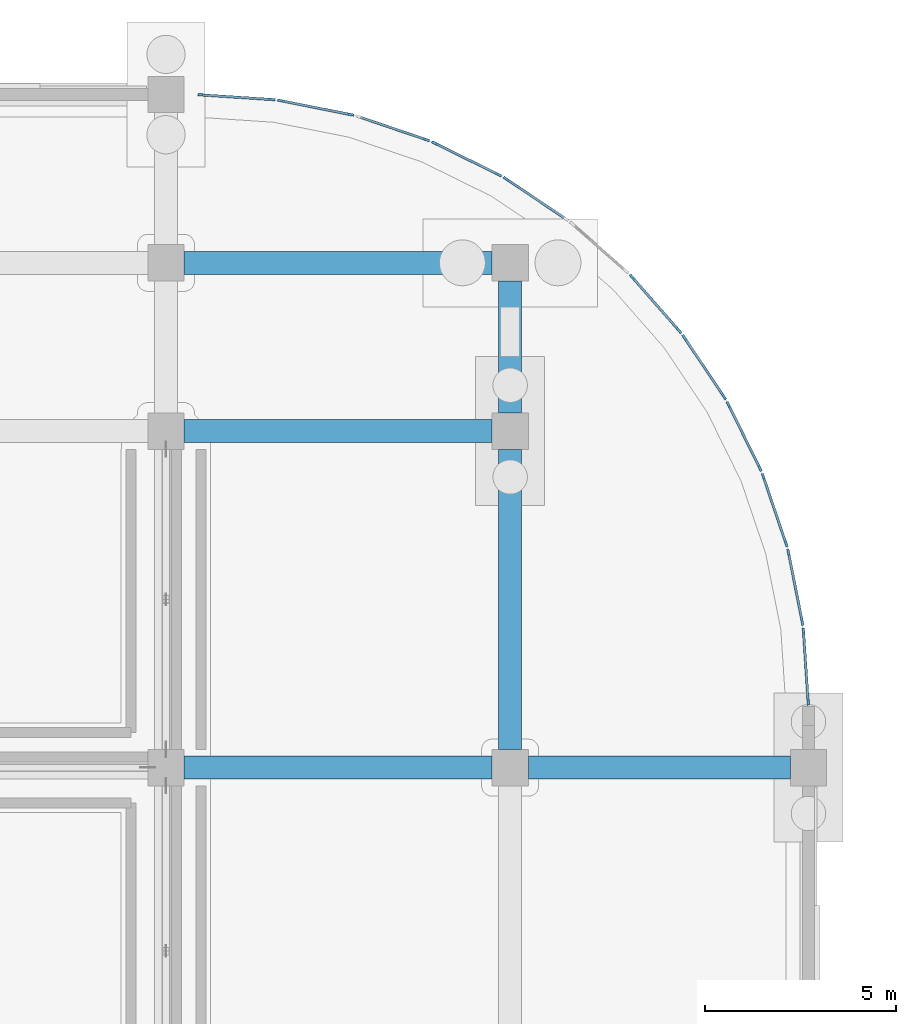
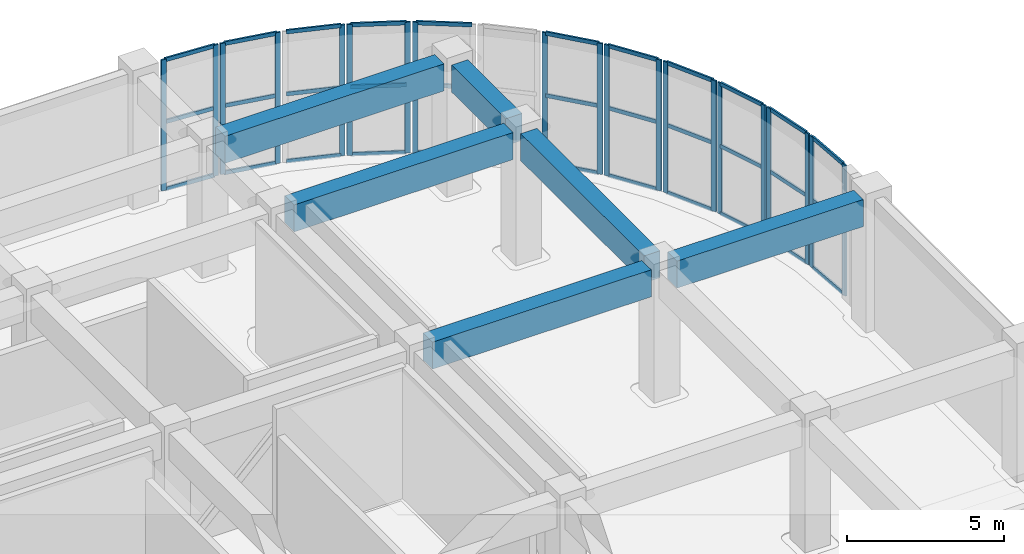
# One storey, part 18 of 74: 53 members, 6 beams, 11 elements without a shape of their own.
"""IFC4 building model written with IfcOpenShell, lengths in metres."""

from ifc_helpers import new_model, si_unit, direction, frame, origin, origin_2d, place, context, subcontext, project, spatial, rectangle, extrude, material, layer, layer_set, material_profile, profile_set, type_object, element, aggregate, save


model = new_model("IFC4")

# Units and contexts
model_context = context("Model", 3, precision=1e-05, world=origin(), true_north=direction((0.0, 1.0)))
body_context = subcontext(model_context, "Body", "Model", "MODEL_VIEW")
ifc_project = project(units=[si_unit("LENGTHUNIT", "METRE"), si_unit("AREAUNIT", "SQUARE_METRE"), si_unit("VOLUMEUNIT", "CUBIC_METRE"), si_unit("PLANEANGLEUNIT", "RADIAN"), si_unit("MASSUNIT", "GRAM", prefix="KILO")], contexts=[model_context])

# Site, building, storey
site_placement = place(None, origin())
site = spatial("IfcSite", under=ifc_project, at=site_placement, CompositionType="ELEMENT")
building_placement = place(site_placement, origin())
building = spatial("IfcBuilding", under=site, at=building_placement, Name="Cendralis Terraced Arcade", CompositionType="ELEMENT")
storey_placement = place(building_placement, origin())
storey = spatial("IfcBuildingStorey", under=building, at=storey_placement, Name="L00", CompositionType="ELEMENT", Elevation=0.0)

# Beams
ifc_material_1 = material(Name="Concrete f'c 35 MPa", Category="concrete")
ifc_material_profile_1 = material_profile(ifc_material_1, rectangle(XDim=0.60009765625, YDim=1.050048828125, at=origin_2d()), Name="RC-BM-600x1050", Category="LoadBearing")
ifc_profile_set_1 = profile_set([ifc_material_profile_1], Name="Concrete f'c 35 MPa")
beam_type = type_object("IfcBeamType", Name="BM-600x1050", PredefinedType="JOIST", material=ifc_profile_set_1)
beam_1_placement = place(storey_placement, frame((157.675048828125, 98.39990234375, 4.56494140625), z_axis=(1.0, 0.0, 0.0), x_axis=(0.0, 1.0, 0.0)))
element("IfcBeam", 1, at=beam_1_placement, inside=storey, type_object=beam_type, Name="Reinforced Concrete Frame Beam BM-X-L01-L-18_19", PredefinedType="JOIST", context=body_context, shape_type="SweptSolid", body=[
    extrude(rectangle(XDim=0.60009765625, YDim=1.050048828125, at=origin_2d()), origin(), (0.0, 0.0, 1.0), 8.050048828125),
])
beam_2_placement = place(storey_placement, frame((166.675048828125, 98.39990234375, 4.56494140625), z_axis=(1.0, 0.0, 0.0), x_axis=(0.0, 1.0, 0.0)))
element("IfcBeam", 2, at=beam_2_placement, inside=storey, type_object=beam_type, Name="Reinforced Concrete Frame Beam BM-X-L01-L-19_20", PredefinedType="JOIST", context=body_context, shape_type="SweptSolid", body=[
    extrude(rectangle(XDim=0.60009765625, YDim=1.050048828125, at=origin_2d()), origin(), (0.0, 0.0, 1.0), 6.849853515625),
])
for number, where, z_axis, x_axis, name in (
    (3, (157.675048828125, 107.199951171875, 4.56494140625), (1.0, 0.0, 0.0), (0.0, 1.0, 0.0), "Reinforced Concrete Frame Beam BM-X-L01-M-18_19"),
    (4, (157.675048828125, 111.60009765625, 4.56494140625), (1.0, 0.0, 0.0), (0.0, 1.0, 0.0), "Reinforced Concrete Frame Beam BM-X-L01-N-18_19"),
):
    element("IfcBeam", number, at=place(storey_placement, frame(where, z_axis=z_axis, x_axis=x_axis)), inside=storey, type_object=beam_type, Name=name, PredefinedType="JOIST", context=body_context, shape_type="SweptSolid", body=[
        extrude(rectangle(XDim=0.60009765625, YDim=1.050048828125, at=origin_2d()), origin(), (0.0, 0.0, 1.0), 8.050048828125),
    ])
beam_3_placement = place(storey_placement, frame((166.199951171875, 98.875, 4.56494140625), z_axis=(0.0, 1.0, 0.0), x_axis=(-1.0, 0.0, 0.0)))
element("IfcBeam", 5, at=beam_3_placement, inside=storey, type_object=beam_type, Name="Reinforced Concrete Frame Beam BM-Y-L01-19-L_M", PredefinedType="JOIST", context=body_context, shape_type="SweptSolid", body=[
    extrude(rectangle(XDim=0.60009765625, YDim=1.050048828125, at=origin_2d()), origin(), (0.0, 0.0, 1.0), 7.85009765625),
])
beam_4_placement = place(storey_placement, frame((166.199951171875, 107.675048828125, 4.56494140625), z_axis=(0.0, 1.0, 0.0), x_axis=(-1.0, 0.0, 0.0)))
element("IfcBeam", 6, at=beam_4_placement, inside=storey, type_object=beam_type, Name="Reinforced Concrete Frame Beam BM-Y-L01-19-M_N", PredefinedType="JOIST", context=body_context, shape_type="SweptSolid", body=[
    extrude(rectangle(XDim=0.60009765625, YDim=1.050048828125, at=origin_2d()), origin(), (0.0, 0.0, 1.0), 3.449951171875),
])

# Curtain wall, members
ifc_material_2 = material(Name="Anodised aluminium EN AW-6063 T6", Category="aluminium")
ifc_layer = layer(ifc_material_2, 0.179931640625, Name="CW-UNIT-A")
ifc_layer_set = layer_set([ifc_layer], Name="Anodised aluminium EN AW-6063 T6")
curtain_wall_type = type_object("IfcCurtainWallType", Name="CW-UNIT-A", PredefinedType="USERDEFINED", material=ifc_layer_set)
curtain_wall_1_placement = place(storey_placement, origin())
curtain_wall_1 = element("IfcCurtainWall", 7, at=curtain_wall_1_placement, inside=storey, type_object=curtain_wall_type, Name="Exterior Unitised Facade CW-L00-0025", ObjectType="UNITISED FACADE", PredefinedType="USERDEFINED")
ifc_material_profile_2 = material_profile(ifc_material_2, rectangle(XDim=0.06494140625, YDim=0.179931640625, at=origin_2d()), Name="ALU-MUL-65x180")
ifc_profile_set_2 = profile_set([ifc_material_profile_2], Name="Anodised aluminium EN AW-6063 T6")
member_type_1 = type_object("IfcMemberType", Name="CW-UNIT-A-MUL", PredefinedType="MULLION", material=ifc_profile_set_2)
member_1_placement = place(storey_placement, frame((158.122314453125, 115.991943359375, 0.0), z_axis=(0.0, 0.0, 1.0), x_axis=(0.065398256097, 0.997859242629, 0.0)))
member_1 = element("IfcMember", 8, at=member_1_placement, type_object=member_type_1, Name="CW-U1 mullion 1", PredefinedType="MULLION", context=body_context, shape_type="SweptSolid", body=[
    extrude(rectangle(XDim=0.06494140625, YDim=0.179931640625, at=origin_2d()), origin(), (0.0, 0.0, 1.0), 5.090087890625),
])
member_2_placement = place(storey_placement, frame((159.966064453125, 115.87109375, 0.0), z_axis=(0.0, 0.0, 1.0), x_axis=(0.065398256097, 0.997859242629, 0.0)))
member_2 = element("IfcMember", 9, at=member_2_placement, type_object=member_type_1, Name="CW-U1 mullion 2", PredefinedType="MULLION", context=body_context, shape_type="SweptSolid", body=[
    extrude(rectangle(XDim=0.06494140625, YDim=0.179931640625, at=origin_2d()), origin(), (0.0, 0.0, 1.0), 5.090087890625),
])

curtain_wall_2_placement = place(storey_placement, origin())
curtain_wall_2 = element("IfcCurtainWall", 10, at=curtain_wall_2_placement, inside=storey, type_object=curtain_wall_type, Name="Exterior Unitised Facade CW-L00-0026", ObjectType="UNITISED FACADE", PredefinedType="USERDEFINED")
member_3_placement = place(storey_placement, frame((160.20849609375, 115.839111328125, 0.0), z_axis=(0.0, 0.0, 1.0), x_axis=(0.195050346244, 0.980793231232, 0.0)))
member_3 = element("IfcMember", 11, at=member_3_placement, type_object=member_type_1, Name="CW-U1 mullion 1", PredefinedType="MULLION", context=body_context, shape_type="SweptSolid", body=[
    extrude(rectangle(XDim=0.06494140625, YDim=0.179931640625, at=origin_2d()), origin(), (0.0, 0.0, 1.0), 5.090087890625),
])
member_4_placement = place(storey_placement, frame((162.02099609375, 115.478759765625, 0.0), z_axis=(0.0, 0.0, 1.0), x_axis=(0.195050346244, 0.980793231232, 0.0)))
member_4 = element("IfcMember", 12, at=member_4_placement, type_object=member_type_1, Name="CW-U1 mullion 2", PredefinedType="MULLION", context=body_context, shape_type="SweptSolid", body=[
    extrude(rectangle(XDim=0.06494140625, YDim=0.179931640625, at=origin_2d()), origin(), (0.0, 0.0, 1.0), 5.090087890625),
])

# Curtain wall, member
curtain_wall_3_placement = place(storey_placement, origin())
curtain_wall_3 = element("IfcCurtainWall", 13, at=curtain_wall_3_placement, inside=storey, type_object=curtain_wall_type, Name="Exterior Unitised Facade CW-L00-0027", ObjectType="UNITISED FACADE", PredefinedType="USERDEFINED")
member_5_placement = place(storey_placement, frame((164.0068359375, 114.821533203125, 0.0), z_axis=(0.0, 0.0, 1.0), x_axis=(0.321445350645, 0.94692813167, 0.0)))
member_5 = element("IfcMember", 14, at=member_5_placement, type_object=member_type_1, Name="CW-U1 mullion 2", PredefinedType="MULLION", context=body_context, shape_type="SweptSolid", body=[
    extrude(rectangle(XDim=0.06494140625, YDim=0.179931640625, at=origin_2d()), origin(), (0.0, 0.0, 1.0), 5.090087890625),
])

# Curtain wall, members
curtain_wall_4_placement = place(storey_placement, origin())
curtain_wall_4 = element("IfcCurtainWall", 15, at=curtain_wall_4_placement, inside=storey, type_object=curtain_wall_type, Name="Exterior Unitised Facade CW-L00-0028", ObjectType="UNITISED FACADE", PredefinedType="USERDEFINED")
member_6_placement = place(storey_placement, frame((164.232666015625, 114.72802734375, 0.0), z_axis=(0.0, 0.0, 1.0), x_axis=(0.442293060122, 0.896870586522, 0.0)))
member_6 = element("IfcMember", 16, at=member_6_placement, type_object=member_type_1, Name="CW-U1 mullion 1", PredefinedType="MULLION", context=body_context, shape_type="SweptSolid", body=[
    extrude(rectangle(XDim=0.06494140625, YDim=0.179931640625, at=origin_2d()), origin(), (0.0, 0.0, 1.0), 5.090087890625),
])
member_7_placement = place(storey_placement, frame((165.89013671875, 113.91064453125, 0.0), z_axis=(0.0, 0.0, 1.0), x_axis=(0.442293060122, 0.896870586522, 0.0)))
member_7 = element("IfcMember", 17, at=member_7_placement, type_object=member_type_1, Name="CW-U1 mullion 2", PredefinedType="MULLION", context=body_context, shape_type="SweptSolid", body=[
    extrude(rectangle(XDim=0.06494140625, YDim=0.179931640625, at=origin_2d()), origin(), (0.0, 0.0, 1.0), 5.090087890625),
])

# Curtain wall, member
curtain_wall_5_placement = place(storey_placement, origin())
curtain_wall_5 = element("IfcCurtainWall", 18, at=curtain_wall_5_placement, inside=storey, type_object=curtain_wall_type, Name="Exterior Unitised Facade CW-L00-0029", ObjectType="UNITISED FACADE", PredefinedType="USERDEFINED")
member_8_placement = place(storey_placement, frame((166.101806640625, 113.788330078125, 0.0), z_axis=(0.0, 0.0, 1.0), x_axis=(0.555532306305, 0.831494952872, 0.0)))
member_8 = element("IfcMember", 19, at=member_8_placement, type_object=member_type_1, Name="CW-U1 mullion 1", PredefinedType="MULLION", context=body_context, shape_type="SweptSolid", body=[
    extrude(rectangle(XDim=0.06494140625, YDim=0.179931640625, at=origin_2d()), origin(), (0.0, 0.0, 1.0), 5.090087890625),
])

# Curtain wall, members
curtain_wall_6_placement = place(storey_placement, origin())
curtain_wall_6 = element("IfcCurtainWall", 20, at=curtain_wall_6_placement, inside=storey, type_object=curtain_wall_type, Name="Exterior Unitised Facade CW-L00-0031", ObjectType="UNITISED FACADE", PredefinedType="USERDEFINED")
member_9_placement = place(storey_placement, frame((169.39453125, 111.2216796875, 0.0), z_axis=(0.0, 0.0, 1.0), x_axis=(0.751782754392, 0.659410866, 0.0)))
member_9 = element("IfcMember", 21, at=member_9_placement, type_object=member_type_1, Name="CW-U1 mullion 1", PredefinedType="MULLION", context=body_context, shape_type="SweptSolid", body=[
    extrude(rectangle(XDim=0.06494140625, YDim=0.179931640625, at=origin_2d()), origin(), (0.0, 0.0, 1.0), 5.090087890625),
])
member_10_placement = place(storey_placement, frame((170.613037109375, 109.832275390625, 0.0), z_axis=(0.0, 0.0, 1.0), x_axis=(0.751782754392, 0.659410866, 0.0)))
member_10 = element("IfcMember", 22, at=member_10_placement, type_object=member_type_1, Name="CW-U1 mullion 2", PredefinedType="MULLION", context=body_context, shape_type="SweptSolid", body=[
    extrude(rectangle(XDim=0.06494140625, YDim=0.179931640625, at=origin_2d()), origin(), (0.0, 0.0, 1.0), 5.090087890625),
])

curtain_wall_7_placement = place(storey_placement, origin())
curtain_wall_7 = element("IfcCurtainWall", 23, at=curtain_wall_7_placement, inside=storey, type_object=curtain_wall_type, Name="Exterior Unitised Facade CW-L00-0032", ObjectType="UNITISED FACADE", PredefinedType="USERDEFINED")
member_11_placement = place(storey_placement, frame((170.76171875, 109.638427734375, 0.0), z_axis=(0.0, 0.0, 1.0), x_axis=(0.831494952872, 0.555532306305, 0.0)))
member_11 = element("IfcMember", 24, at=member_11_placement, type_object=member_type_1, Name="CW-U1 mullion 1", PredefinedType="MULLION", context=body_context, shape_type="SweptSolid", body=[
    extrude(rectangle(XDim=0.06494140625, YDim=0.179931640625, at=origin_2d()), origin(), (0.0, 0.0, 1.0), 5.090087890625),
])
member_12_placement = place(storey_placement, frame((171.788330078125, 108.101806640625, 0.0), z_axis=(0.0, 0.0, 1.0), x_axis=(0.831494952872, 0.555532306305, 0.0)))
member_12 = element("IfcMember", 25, at=member_12_placement, type_object=member_type_1, Name="CW-U1 mullion 2", PredefinedType="MULLION", context=body_context, shape_type="SweptSolid", body=[
    extrude(rectangle(XDim=0.06494140625, YDim=0.179931640625, at=origin_2d()), origin(), (0.0, 0.0, 1.0), 5.090087890625),
])

curtain_wall_8_placement = place(storey_placement, origin())
curtain_wall_8 = element("IfcCurtainWall", 26, at=curtain_wall_8_placement, inside=storey, type_object=curtain_wall_type, Name="Exterior Unitised Facade CW-L00-0033", ObjectType="UNITISED FACADE", PredefinedType="USERDEFINED")
member_13_placement = place(storey_placement, frame((171.91064453125, 107.89013671875, 0.0), z_axis=(0.0, 0.0, 1.0), x_axis=(0.896870586522, 0.442293060122, 0.0)))
member_13 = element("IfcMember", 27, at=member_13_placement, type_object=member_type_1, Name="CW-U1 mullion 1", PredefinedType="MULLION", context=body_context, shape_type="SweptSolid", body=[
    extrude(rectangle(XDim=0.06494140625, YDim=0.179931640625, at=origin_2d()), origin(), (0.0, 0.0, 1.0), 5.090087890625),
])
member_14_placement = place(storey_placement, frame((172.72802734375, 106.232666015625, 0.0), z_axis=(0.0, 0.0, 1.0), x_axis=(0.896870586522, 0.442293060122, 0.0)))
member_14 = element("IfcMember", 28, at=member_14_placement, type_object=member_type_1, Name="CW-U1 mullion 2", PredefinedType="MULLION", context=body_context, shape_type="SweptSolid", body=[
    extrude(rectangle(XDim=0.06494140625, YDim=0.179931640625, at=origin_2d()), origin(), (0.0, 0.0, 1.0), 5.090087890625),
])

curtain_wall_9_placement = place(storey_placement, origin())
curtain_wall_9 = element("IfcCurtainWall", 29, at=curtain_wall_9_placement, inside=storey, type_object=curtain_wall_type, Name="Exterior Unitised Facade CW-L00-0034", ObjectType="UNITISED FACADE", PredefinedType="USERDEFINED")
member_15_placement = place(storey_placement, frame((172.821533203125, 106.0068359375, 0.0), z_axis=(0.0, 0.0, 1.0), x_axis=(0.94692813167, 0.321445350645, 0.0)))
member_15 = element("IfcMember", 30, at=member_15_placement, type_object=member_type_1, Name="CW-U1 mullion 1", PredefinedType="MULLION", context=body_context, shape_type="SweptSolid", body=[
    extrude(rectangle(XDim=0.06494140625, YDim=0.179931640625, at=origin_2d()), origin(), (0.0, 0.0, 1.0), 5.090087890625),
])
member_16_placement = place(storey_placement, frame((173.41552734375, 104.257080078125, 0.0), z_axis=(0.0, 0.0, 1.0), x_axis=(0.94692813167, 0.321445350645, 0.0)))
member_16 = element("IfcMember", 31, at=member_16_placement, type_object=member_type_1, Name="CW-U1 mullion 2", PredefinedType="MULLION", context=body_context, shape_type="SweptSolid", body=[
    extrude(rectangle(XDim=0.06494140625, YDim=0.179931640625, at=origin_2d()), origin(), (0.0, 0.0, 1.0), 5.090087890625),
])

curtain_wall_10_placement = place(storey_placement, origin())
curtain_wall_10 = element("IfcCurtainWall", 32, at=curtain_wall_10_placement, inside=storey, type_object=curtain_wall_type, Name="Exterior Unitised Facade CW-L00-0035", ObjectType="UNITISED FACADE", PredefinedType="USERDEFINED")
member_17_placement = place(storey_placement, frame((173.478759765625, 104.02099609375, 0.0), z_axis=(0.0, 0.0, 1.0), x_axis=(0.980793231232, 0.195050346244, 0.0)))
member_17 = element("IfcMember", 33, at=member_17_placement, type_object=member_type_1, Name="CW-U1 mullion 1", PredefinedType="MULLION", context=body_context, shape_type="SweptSolid", body=[
    extrude(rectangle(XDim=0.06494140625, YDim=0.179931640625, at=origin_2d()), origin(), (0.0, 0.0, 1.0), 5.090087890625),
])
member_18_placement = place(storey_placement, frame((173.839111328125, 102.20849609375, 0.0), z_axis=(0.0, 0.0, 1.0), x_axis=(0.980793231232, 0.195050346244, 0.0)))
member_18 = element("IfcMember", 34, at=member_18_placement, type_object=member_type_1, Name="CW-U1 mullion 2", PredefinedType="MULLION", context=body_context, shape_type="SweptSolid", body=[
    extrude(rectangle(XDim=0.06494140625, YDim=0.179931640625, at=origin_2d()), origin(), (0.0, 0.0, 1.0), 5.090087890625),
])

curtain_wall_11_placement = place(storey_placement, origin())
curtain_wall_11 = element("IfcCurtainWall", 35, at=curtain_wall_11_placement, inside=storey, type_object=curtain_wall_type, Name="Exterior Unitised Facade CW-L00-0036", ObjectType="UNITISED FACADE", PredefinedType="USERDEFINED")
member_19_placement = place(storey_placement, frame((173.87109375, 101.966064453125, 0.0), z_axis=(0.0, 0.0, 1.0), x_axis=(0.997859242629, 0.065398256097, 0.0)))
member_19 = element("IfcMember", 36, at=member_19_placement, type_object=member_type_1, Name="CW-U1 mullion 1", PredefinedType="MULLION", context=body_context, shape_type="SweptSolid", body=[
    extrude(rectangle(XDim=0.06494140625, YDim=0.179931640625, at=origin_2d()), origin(), (0.0, 0.0, 1.0), 5.090087890625),
])
member_20_placement = place(storey_placement, frame((173.991943359375, 100.122314453125, 0.0), z_axis=(0.0, 0.0, 1.0), x_axis=(0.997859242629, 0.065398256097, 0.0)))
member_20 = element("IfcMember", 37, at=member_20_placement, type_object=member_type_1, Name="CW-U1 mullion 2", PredefinedType="MULLION", context=body_context, shape_type="SweptSolid", body=[
    extrude(rectangle(XDim=0.06494140625, YDim=0.179931640625, at=origin_2d()), origin(), (0.0, 0.0, 1.0), 5.090087890625),
])

# Member
ifc_material_profile_3 = material_profile(ifc_material_2, rectangle(XDim=0.06494140625, YDim=0.14990234375, at=origin_2d()), Name="ALU-TRN-65x150")
ifc_profile_set_3 = profile_set([ifc_material_profile_3], Name="Anodised aluminium EN AW-6063 T6")
member_type_2 = type_object("IfcMemberType", Name="CW-UNIT-A-TRN", PredefinedType="USERDEFINED", material=ifc_profile_set_3)
member_21_placement = place(storey_placement, frame((158.154541015625, 115.98974609375, 0.032470703125), z_axis=(0.997865001998, -0.065310319148, 0.0), x_axis=(0.065310319148, 0.997865001998, 0.0)))
member_21 = element("IfcMember", 38, at=member_21_placement, type_object=member_type_2, Name="CW-U1 transom 1.1", ObjectType="TRANSOM", PredefinedType="USERDEFINED", context=body_context, shape_type="SweptSolid", body=[
    extrude(rectangle(XDim=0.06494140625, YDim=0.14990234375, at=origin_2d()), origin(), (0.0, 0.0, 1.0), 1.783203125),
])

member_22_placement = place(storey_placement, frame((158.154541015625, 115.98974609375, 2.646728515625), z_axis=(0.997865001998, -0.065310319148, 0.0), x_axis=(0.065310319148, 0.997865001998, 0.0)))
member_22 = element("IfcMember", 39, at=member_22_placement, type_object=member_type_2, Name="CW-U1 transom 1.2", ObjectType="TRANSOM", PredefinedType="USERDEFINED", context=body_context, shape_type="SweptSolid", body=[
    extrude(rectangle(XDim=0.06494140625, YDim=0.14990234375, at=origin_2d()), origin(), (0.0, 0.0, 1.0), 1.783203125),
])

member_23_placement = place(storey_placement, frame((158.154541015625, 115.98974609375, 5.0576171875), z_axis=(0.997865001998, -0.065310319148, 0.0), x_axis=(0.065310319148, 0.997865001998, 0.0)))
member_23 = element("IfcMember", 40, at=member_23_placement, type_object=member_type_2, Name="CW-U1 transom 1.3", ObjectType="TRANSOM", PredefinedType="USERDEFINED", context=body_context, shape_type="SweptSolid", body=[
    extrude(rectangle(XDim=0.06494140625, YDim=0.14990234375, at=origin_2d()), origin(), (0.0, 0.0, 1.0), 1.783203125),
])

aggregate(curtain_wall_1, [member_1, member_2, member_21, member_22, member_23])

member_24_placement = place(storey_placement, frame((160.240478515625, 115.832763671875, 0.032470703125), z_axis=(0.980801270965, -0.195009914808, 0.0), x_axis=(0.195009914808, 0.980801270965, 0.0)))
member_24 = element("IfcMember", 41, at=member_24_placement, type_object=member_type_2, Name="CW-U1 transom 1.1", ObjectType="TRANSOM", PredefinedType="USERDEFINED", context=body_context, shape_type="SweptSolid", body=[
    extrude(rectangle(XDim=0.06494140625, YDim=0.14990234375, at=origin_2d()), origin(), (0.0, 0.0, 1.0), 1.78271484375),
])

member_25_placement = place(storey_placement, frame((160.240478515625, 115.832763671875, 2.646728515625), z_axis=(0.980801270965, -0.195009914808, 0.0), x_axis=(0.195009914808, 0.980801270965, 0.0)))
member_25 = element("IfcMember", 42, at=member_25_placement, type_object=member_type_2, Name="CW-U1 transom 1.2", ObjectType="TRANSOM", PredefinedType="USERDEFINED", context=body_context, shape_type="SweptSolid", body=[
    extrude(rectangle(XDim=0.06494140625, YDim=0.14990234375, at=origin_2d()), origin(), (0.0, 0.0, 1.0), 1.78271484375),
])

member_26_placement = place(storey_placement, frame((160.240478515625, 115.832763671875, 5.0576171875), z_axis=(0.980801270965, -0.195009914808, 0.0), x_axis=(0.195009914808, 0.980801270965, 0.0)))
member_26 = element("IfcMember", 43, at=member_26_placement, type_object=member_type_2, Name="CW-U1 transom 1.3", ObjectType="TRANSOM", PredefinedType="USERDEFINED", context=body_context, shape_type="SweptSolid", body=[
    extrude(rectangle(XDim=0.06494140625, YDim=0.14990234375, at=origin_2d()), origin(), (0.0, 0.0, 1.0), 1.78271484375),
])

aggregate(curtain_wall_2, [member_3, member_4, member_24, member_25, member_26])

member_27_placement = place(storey_placement, frame((162.287841796875, 115.405029296875, 0.032470703125), z_axis=(0.94690204175, -0.321522197257, 0.0), x_axis=(0.321522197257, 0.94690204175, 0.0)))
member_27 = element("IfcMember", 44, at=member_27_placement, type_object=member_type_2, Name="CW-U1 transom 1.1", ObjectType="TRANSOM", PredefinedType="USERDEFINED", context=body_context, shape_type="SweptSolid", body=[
    extrude(rectangle(XDim=0.06494140625, YDim=0.14990234375, at=origin_2d()), origin(), (0.0, 0.0, 1.0), 1.782958984375),
])

member_28_placement = place(storey_placement, frame((162.287841796875, 115.405029296875, 2.646728515625), z_axis=(0.94690204175, -0.321522197257, 0.0), x_axis=(0.321522197257, 0.94690204175, 0.0)))
member_28 = element("IfcMember", 45, at=member_28_placement, type_object=member_type_2, Name="CW-U1 transom 1.2", ObjectType="TRANSOM", PredefinedType="USERDEFINED", context=body_context, shape_type="SweptSolid", body=[
    extrude(rectangle(XDim=0.06494140625, YDim=0.14990234375, at=origin_2d()), origin(), (0.0, 0.0, 1.0), 1.782958984375),
])

member_29_placement = place(storey_placement, frame((162.287841796875, 115.405029296875, 5.0576171875), z_axis=(0.94690204175, -0.321522197257, 0.0), x_axis=(0.321522197257, 0.94690204175, 0.0)))
member_29 = element("IfcMember", 46, at=member_29_placement, type_object=member_type_2, Name="CW-U1 transom 1.3", ObjectType="TRANSOM", PredefinedType="USERDEFINED", context=body_context, shape_type="SweptSolid", body=[
    extrude(rectangle(XDim=0.06494140625, YDim=0.14990234375, at=origin_2d()), origin(), (0.0, 0.0, 1.0), 1.782958984375),
])

aggregate(curtain_wall_3, [member_5, member_27, member_28, member_29])

member_30_placement = place(storey_placement, frame((164.261962890625, 114.713623046875, 0.032470703125), z_axis=(0.896878311066, -0.442277396144, 0.0), x_axis=(0.442277396144, 0.896878311066, 0.0)))
member_30 = element("IfcMember", 47, at=member_30_placement, type_object=member_type_2, Name="CW-U1 transom 1.1", ObjectType="TRANSOM", PredefinedType="USERDEFINED", context=body_context, shape_type="SweptSolid", body=[
    extrude(rectangle(XDim=0.06494140625, YDim=0.14990234375, at=origin_2d()), origin(), (0.0, 0.0, 1.0), 1.782958984375),
])

member_31_placement = place(storey_placement, frame((164.261962890625, 114.713623046875, 2.646728515625), z_axis=(0.896878311066, -0.442277396144, 0.0), x_axis=(0.442277396144, 0.896878311066, 0.0)))
member_31 = element("IfcMember", 48, at=member_31_placement, type_object=member_type_2, Name="CW-U1 transom 1.2", ObjectType="TRANSOM", PredefinedType="USERDEFINED", context=body_context, shape_type="SweptSolid", body=[
    extrude(rectangle(XDim=0.06494140625, YDim=0.14990234375, at=origin_2d()), origin(), (0.0, 0.0, 1.0), 1.782958984375),
])

member_32_placement = place(storey_placement, frame((164.261962890625, 114.713623046875, 5.0576171875), z_axis=(0.896878311066, -0.442277396144, 0.0), x_axis=(0.442277396144, 0.896878311066, 0.0)))
member_32 = element("IfcMember", 49, at=member_32_placement, type_object=member_type_2, Name="CW-U1 transom 1.3", ObjectType="TRANSOM", PredefinedType="USERDEFINED", context=body_context, shape_type="SweptSolid", body=[
    extrude(rectangle(XDim=0.06494140625, YDim=0.14990234375, at=origin_2d()), origin(), (0.0, 0.0, 1.0), 1.782958984375),
])

aggregate(curtain_wall_4, [member_6, member_7, member_30, member_31, member_32])

member_33_placement = place(storey_placement, frame((166.12890625, 113.770263671875, 0.032470703125), z_axis=(0.831481041929, -0.555553126994, 0.0), x_axis=(0.555553126994, 0.831481041929, 0.0)))
member_33 = element("IfcMember", 50, at=member_33_placement, type_object=member_type_2, Name="CW-U1 transom 1.1", ObjectType="TRANSOM", PredefinedType="USERDEFINED", context=body_context, shape_type="SweptSolid", body=[
    extrude(rectangle(XDim=0.06494140625, YDim=0.14990234375, at=origin_2d()), origin(), (0.0, 0.0, 1.0), 1.782958984375),
])

member_34_placement = place(storey_placement, frame((166.12890625, 113.770263671875, 2.646728515625), z_axis=(0.831481041929, -0.555553126994, 0.0), x_axis=(0.555553126994, 0.831481041929, 0.0)))
member_34 = element("IfcMember", 51, at=member_34_placement, type_object=member_type_2, Name="CW-U1 transom 1.2", ObjectType="TRANSOM", PredefinedType="USERDEFINED", context=body_context, shape_type="SweptSolid", body=[
    extrude(rectangle(XDim=0.06494140625, YDim=0.14990234375, at=origin_2d()), origin(), (0.0, 0.0, 1.0), 1.782958984375),
])

member_35_placement = place(storey_placement, frame((166.12890625, 113.770263671875, 5.0576171875), z_axis=(0.831481041929, -0.555553126994, 0.0), x_axis=(0.555553126994, 0.831481041929, 0.0)))
member_35 = element("IfcMember", 52, at=member_35_placement, type_object=member_type_2, Name="CW-U1 transom 1.3", ObjectType="TRANSOM", PredefinedType="USERDEFINED", context=body_context, shape_type="SweptSolid", body=[
    extrude(rectangle(XDim=0.06494140625, YDim=0.14990234375, at=origin_2d()), origin(), (0.0, 0.0, 1.0), 1.782958984375),
])

aggregate(curtain_wall_5, [member_8, member_33, member_34, member_35])

member_36_placement = place(storey_placement, frame((169.415771484375, 111.197021484375, 0.032470703125), z_axis=(0.659454109684, -0.751744821878, 0.0), x_axis=(0.751744821878, 0.659454109684, 0.0)))
member_36 = element("IfcMember", 53, at=member_36_placement, type_object=member_type_2, Name="CW-U1 transom 1.1", ObjectType="TRANSOM", PredefinedType="USERDEFINED", context=body_context, shape_type="SweptSolid", body=[
    extrude(rectangle(XDim=0.06494140625, YDim=0.14990234375, at=origin_2d()), origin(), (0.0, 0.0, 1.0), 1.782958984375),
])

member_37_placement = place(storey_placement, frame((169.415771484375, 111.197021484375, 2.646728515625), z_axis=(0.659454109684, -0.751744821878, 0.0), x_axis=(0.751744821878, 0.659454109684, 0.0)))
member_37 = element("IfcMember", 54, at=member_37_placement, type_object=member_type_2, Name="CW-U1 transom 1.2", ObjectType="TRANSOM", PredefinedType="USERDEFINED", context=body_context, shape_type="SweptSolid", body=[
    extrude(rectangle(XDim=0.06494140625, YDim=0.14990234375, at=origin_2d()), origin(), (0.0, 0.0, 1.0), 1.782958984375),
])

member_38_placement = place(storey_placement, frame((169.415771484375, 111.197021484375, 5.0576171875), z_axis=(0.659454109684, -0.751744821878, 0.0), x_axis=(0.751744821878, 0.659454109684, 0.0)))
member_38 = element("IfcMember", 55, at=member_38_placement, type_object=member_type_2, Name="CW-U1 transom 1.3", ObjectType="TRANSOM", PredefinedType="USERDEFINED", context=body_context, shape_type="SweptSolid", body=[
    extrude(rectangle(XDim=0.06494140625, YDim=0.14990234375, at=origin_2d()), origin(), (0.0, 0.0, 1.0), 1.782958984375),
])

aggregate(curtain_wall_6, [member_9, member_10, member_36, member_37, member_38])

member_39_placement = place(storey_placement, frame((170.77978515625, 109.611328125, 0.032470703125), z_axis=(0.555553126994, -0.831481041929, 0.0), x_axis=(0.831481041929, 0.555553126994, 0.0)))
member_39 = element("IfcMember", 56, at=member_39_placement, type_object=member_type_2, Name="CW-U1 transom 1.1", ObjectType="TRANSOM", PredefinedType="USERDEFINED", context=body_context, shape_type="SweptSolid", body=[
    extrude(rectangle(XDim=0.06494140625, YDim=0.14990234375, at=origin_2d()), origin(), (0.0, 0.0, 1.0), 1.782958984375),
])

member_40_placement = place(storey_placement, frame((170.77978515625, 109.611328125, 2.646728515625), z_axis=(0.555553126994, -0.831481041929, 0.0), x_axis=(0.831481041929, 0.555553126994, 0.0)))
member_40 = element("IfcMember", 57, at=member_40_placement, type_object=member_type_2, Name="CW-U1 transom 1.2", ObjectType="TRANSOM", PredefinedType="USERDEFINED", context=body_context, shape_type="SweptSolid", body=[
    extrude(rectangle(XDim=0.06494140625, YDim=0.14990234375, at=origin_2d()), origin(), (0.0, 0.0, 1.0), 1.782958984375),
])

member_41_placement = place(storey_placement, frame((170.77978515625, 109.611328125, 5.0576171875), z_axis=(0.555553126994, -0.831481041929, 0.0), x_axis=(0.831481041929, 0.555553126994, 0.0)))
member_41 = element("IfcMember", 58, at=member_41_placement, type_object=member_type_2, Name="CW-U1 transom 1.3", ObjectType="TRANSOM", PredefinedType="USERDEFINED", context=body_context, shape_type="SweptSolid", body=[
    extrude(rectangle(XDim=0.06494140625, YDim=0.14990234375, at=origin_2d()), origin(), (0.0, 0.0, 1.0), 1.782958984375),
])

aggregate(curtain_wall_7, [member_11, member_12, member_39, member_40, member_41])

member_42_placement = place(storey_placement, frame((171.925048828125, 107.861083984375, 0.032470703125), z_axis=(0.442277396144, -0.896878311066, 0.0), x_axis=(0.896878311066, 0.442277396144, 0.0)))
member_42 = element("IfcMember", 59, at=member_42_placement, type_object=member_type_2, Name="CW-U1 transom 1.1", ObjectType="TRANSOM", PredefinedType="USERDEFINED", context=body_context, shape_type="SweptSolid", body=[
    extrude(rectangle(XDim=0.06494140625, YDim=0.14990234375, at=origin_2d()), origin(), (0.0, 0.0, 1.0), 1.782958984375),
])

member_43_placement = place(storey_placement, frame((171.925048828125, 107.861083984375, 2.646728515625), z_axis=(0.442277396144, -0.896878311066, 0.0), x_axis=(0.896878311066, 0.442277396144, 0.0)))
member_43 = element("IfcMember", 60, at=member_43_placement, type_object=member_type_2, Name="CW-U1 transom 1.2", ObjectType="TRANSOM", PredefinedType="USERDEFINED", context=body_context, shape_type="SweptSolid", body=[
    extrude(rectangle(XDim=0.06494140625, YDim=0.14990234375, at=origin_2d()), origin(), (0.0, 0.0, 1.0), 1.782958984375),
])

member_44_placement = place(storey_placement, frame((171.925048828125, 107.861083984375, 5.0576171875), z_axis=(0.442277396144, -0.896878311066, 0.0), x_axis=(0.896878311066, 0.442277396144, 0.0)))
member_44 = element("IfcMember", 61, at=member_44_placement, type_object=member_type_2, Name="CW-U1 transom 1.3", ObjectType="TRANSOM", PredefinedType="USERDEFINED", context=body_context, shape_type="SweptSolid", body=[
    extrude(rectangle(XDim=0.06494140625, YDim=0.14990234375, at=origin_2d()), origin(), (0.0, 0.0, 1.0), 1.782958984375),
])

aggregate(curtain_wall_8, [member_13, member_14, member_42, member_43, member_44])

member_45_placement = place(storey_placement, frame((172.831787109375, 105.97607421875, 0.032470703125), z_axis=(0.321522197257, -0.94690204175, 0.0), x_axis=(0.94690204175, 0.321522197257, 0.0)))
member_45 = element("IfcMember", 62, at=member_45_placement, type_object=member_type_2, Name="CW-U1 transom 1.1", ObjectType="TRANSOM", PredefinedType="USERDEFINED", context=body_context, shape_type="SweptSolid", body=[
    extrude(rectangle(XDim=0.06494140625, YDim=0.14990234375, at=origin_2d()), origin(), (0.0, 0.0, 1.0), 1.782958984375),
])

member_46_placement = place(storey_placement, frame((172.831787109375, 105.97607421875, 2.646728515625), z_axis=(0.321522197257, -0.94690204175, 0.0), x_axis=(0.94690204175, 0.321522197257, 0.0)))
member_46 = element("IfcMember", 63, at=member_46_placement, type_object=member_type_2, Name="CW-U1 transom 1.2", ObjectType="TRANSOM", PredefinedType="USERDEFINED", context=body_context, shape_type="SweptSolid", body=[
    extrude(rectangle(XDim=0.06494140625, YDim=0.14990234375, at=origin_2d()), origin(), (0.0, 0.0, 1.0), 1.782958984375),
])

member_47_placement = place(storey_placement, frame((172.831787109375, 105.97607421875, 5.0576171875), z_axis=(0.321522197257, -0.94690204175, 0.0), x_axis=(0.94690204175, 0.321522197257, 0.0)))
member_47 = element("IfcMember", 64, at=member_47_placement, type_object=member_type_2, Name="CW-U1 transom 1.3", ObjectType="TRANSOM", PredefinedType="USERDEFINED", context=body_context, shape_type="SweptSolid", body=[
    extrude(rectangle(XDim=0.06494140625, YDim=0.14990234375, at=origin_2d()), origin(), (0.0, 0.0, 1.0), 1.782958984375),
])

aggregate(curtain_wall_9, [member_15, member_16, member_45, member_46, member_47])

member_48_placement = place(storey_placement, frame((173.485107421875, 103.989013671875, 0.032470703125), z_axis=(0.195009914808, -0.980801270965, 0.0), x_axis=(0.980801270965, 0.195009914808, 0.0)))
member_48 = element("IfcMember", 65, at=member_48_placement, type_object=member_type_2, Name="CW-U1 transom 1.1", ObjectType="TRANSOM", PredefinedType="USERDEFINED", context=body_context, shape_type="SweptSolid", body=[
    extrude(rectangle(XDim=0.06494140625, YDim=0.14990234375, at=origin_2d()), origin(), (0.0, 0.0, 1.0), 1.78271484375),
])

member_49_placement = place(storey_placement, frame((173.485107421875, 103.989013671875, 2.646728515625), z_axis=(0.195009914808, -0.980801270965, 0.0), x_axis=(0.980801270965, 0.195009914808, 0.0)))
member_49 = element("IfcMember", 66, at=member_49_placement, type_object=member_type_2, Name="CW-U1 transom 1.2", ObjectType="TRANSOM", PredefinedType="USERDEFINED", context=body_context, shape_type="SweptSolid", body=[
    extrude(rectangle(XDim=0.06494140625, YDim=0.14990234375, at=origin_2d()), origin(), (0.0, 0.0, 1.0), 1.78271484375),
])

member_50_placement = place(storey_placement, frame((173.485107421875, 103.989013671875, 5.0576171875), z_axis=(0.195009914808, -0.980801270965, 0.0), x_axis=(0.980801270965, 0.195009914808, 0.0)))
member_50 = element("IfcMember", 67, at=member_50_placement, type_object=member_type_2, Name="CW-U1 transom 1.3", ObjectType="TRANSOM", PredefinedType="USERDEFINED", context=body_context, shape_type="SweptSolid", body=[
    extrude(rectangle(XDim=0.06494140625, YDim=0.14990234375, at=origin_2d()), origin(), (0.0, 0.0, 1.0), 1.78271484375),
])

aggregate(curtain_wall_10, [member_17, member_18, member_48, member_49, member_50])

member_51_placement = place(storey_placement, frame((173.873291015625, 101.933837890625, 0.032470703125), z_axis=(0.065310319148, -0.997865001998, 0.0), x_axis=(0.997865001998, 0.065310319148, 0.0)))
member_51 = element("IfcMember", 68, at=member_51_placement, type_object=member_type_2, Name="CW-U1 transom 1.1", ObjectType="TRANSOM", PredefinedType="USERDEFINED", context=body_context, shape_type="SweptSolid", body=[
    extrude(rectangle(XDim=0.06494140625, YDim=0.14990234375, at=origin_2d()), origin(), (0.0, 0.0, 1.0), 1.783203125),
])

member_52_placement = place(storey_placement, frame((173.873291015625, 101.933837890625, 2.646728515625), z_axis=(0.065310319148, -0.997865001998, 0.0), x_axis=(0.997865001998, 0.065310319148, 0.0)))
member_52 = element("IfcMember", 69, at=member_52_placement, type_object=member_type_2, Name="CW-U1 transom 1.2", ObjectType="TRANSOM", PredefinedType="USERDEFINED", context=body_context, shape_type="SweptSolid", body=[
    extrude(rectangle(XDim=0.06494140625, YDim=0.14990234375, at=origin_2d()), origin(), (0.0, 0.0, 1.0), 1.783203125),
])

member_53_placement = place(storey_placement, frame((173.873291015625, 101.933837890625, 5.0576171875), z_axis=(0.065310319148, -0.997865001998, 0.0), x_axis=(0.997865001998, 0.065310319148, 0.0)))
member_53 = element("IfcMember", 70, at=member_53_placement, type_object=member_type_2, Name="CW-U1 transom 1.3", ObjectType="TRANSOM", PredefinedType="USERDEFINED", context=body_context, shape_type="SweptSolid", body=[
    extrude(rectangle(XDim=0.06494140625, YDim=0.14990234375, at=origin_2d()), origin(), (0.0, 0.0, 1.0), 1.783203125),
])

aggregate(curtain_wall_11, [member_19, member_20, member_51, member_52, member_53])

save(model, "model.ifc")
